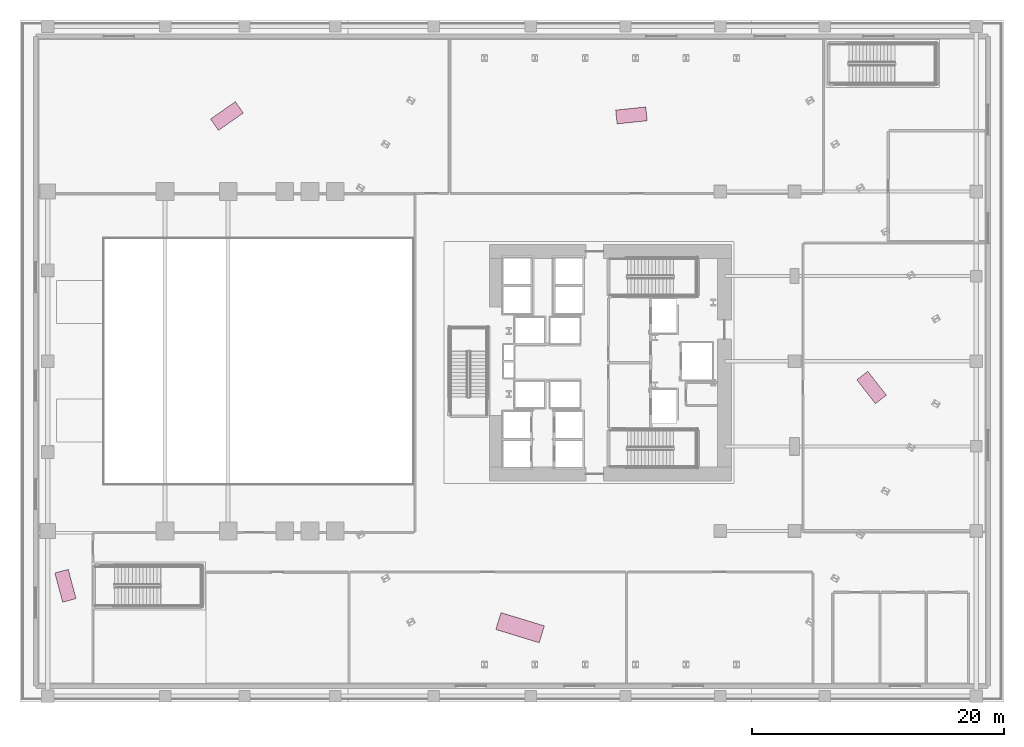
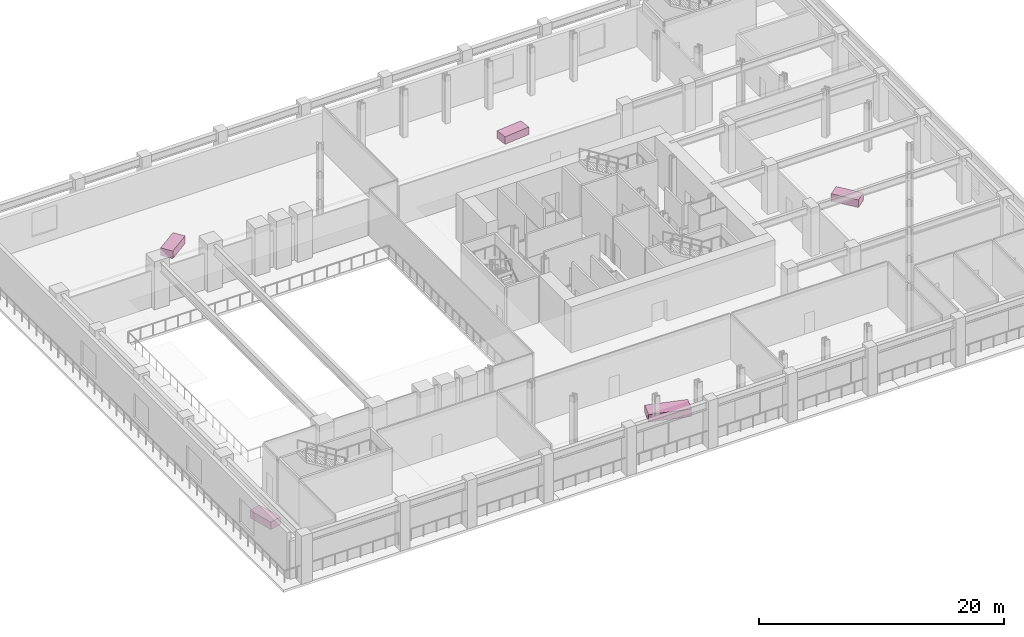
# One storey, part 19 of 19: 5 furniture elements.
"""IFC4 building model written with IfcOpenShell, lengths in metres."""

import ifcopenshell
import ifcopenshell.guid

model = None  # the IFC model being written
_history = None  # IfcOwnerHistory: only IFC2X3 demands one
_inside = {}  # id of a spatial element -> (the spatial element, [elements in it])
_under = {}  # id of a project, library or spatial element -> (it, [spatial elements below it])
_declared = {}  # id of a project -> (the project, [libraries it declares])
_typed = {}  # id of a type object -> (the type object, [elements of that type])
_made_of = {}  # id of a material, layer set ... -> (it, [elements and type objects made of it])


def new_model(schema):
    """Start an empty IFC model of exactly this schema.

    Asked for "IFC4X3", IfcOpenShell would pick the latest addendum, in which some entities
    have other attributes; the version numbers below select the first issue.
    IFC2X3 requires an IfcOwnerHistory on every rooted entity: one is made here for all.
    """
    global model, _history
    if schema == "IFC4X3":
        model = ifcopenshell.file(schema_version=(4, 3, 0, 0))
    else:
        model = ifcopenshell.file(schema=schema)
    _inside.clear()
    _under.clear()
    _declared.clear()
    _typed.clear()
    _made_of.clear()
    _history = None
    if model.schema == "IFC2X3":
        org = make("IfcOrganization", Name="unknown")
        user = make(
            "IfcPersonAndOrganization",
            ThePerson=make("IfcPerson", FamilyName="unknown"),
            TheOrganization=org,
        )
        app = make(
            "IfcApplication",
            ApplicationDeveloper=org,
            Version="unknown",
            ApplicationFullName="unknown",
            ApplicationIdentifier="unknown",
        )
        _history = make(
            "IfcOwnerHistory",
            OwningUser=user,
            OwningApplication=app,
            ChangeAction="ADDED",
            CreationDate=0,
        )
    return model


def make(cls, **values):
    """One entity of the class cls with the attributes given. An attribute that is None is left unset."""
    return model.create_entity(
        cls, **{name: value for name, value in values.items() if value is not None}
    )


def rooted(cls, **values):
    """An entity with a GlobalId (a new one), such as an element, a storey or a relation."""
    return make(cls, GlobalId=ifcopenshell.guid.new(), OwnerHistory=_history, **values)


def si_unit(unit_type, name, prefix=None):
    """IfcSIUnit, for example si_unit("LENGTHUNIT", "METRE", prefix="MILLI")."""
    return make("IfcSIUnit", UnitType=unit_type, Prefix=prefix, Name=name)


def assignment(units):
    """IfcUnitAssignment: the units of a project."""
    return None if units is None else make("IfcUnitAssignment", Units=units)


def point(xyz):
    """IfcCartesianPoint."""
    return None if xyz is None else make("IfcCartesianPoint", Coordinates=xyz)


def direction(xyz):
    """IfcDirection."""
    return None if xyz is None else make("IfcDirection", DirectionRatios=xyz)


def frame(location, z_axis=None, x_axis=None):
    """IfcAxis2Placement3D, a coordinate frame: its origin and axes. An axis left out is left unset."""
    return make(
        "IfcAxis2Placement3D",
        Location=point(location),
        Axis=direction(z_axis),
        RefDirection=direction(x_axis),
    )


def frame_2d(location, x_axis=None):
    """IfcAxis2Placement2D, a coordinate frame in the plane: its origin and x axis."""
    return make(
        "IfcAxis2Placement2D", Location=point(location), RefDirection=direction(x_axis)
    )


def origin():
    """The frame at (0, 0, 0) with its axes left unset."""
    return frame((0.0, 0.0, 0.0))


def origin_2d():
    """The frame at (0, 0) in the plane with its x axis left unset."""
    return frame_2d((0.0, 0.0))


def place(relative_to, where):
    """IfcLocalPlacement: puts the frame where relative to a parent placement (None: the world)."""
    return make(
        "IfcLocalPlacement", PlacementRelTo=relative_to, RelativePlacement=where
    )


def context(
    kind, dimensions, precision=None, world=None, true_north=None, identifier=None
):
    """IfcGeometricRepresentationContext, for example the 3D "Model" context."""
    return make(
        "IfcGeometricRepresentationContext",
        ContextIdentifier=identifier,
        ContextType=kind,
        CoordinateSpaceDimension=dimensions,
        Precision=precision,
        WorldCoordinateSystem=world,
        TrueNorth=true_north,
    )


def subcontext(parent, identifier, kind, view, scale=None):
    """IfcGeometricRepresentationSubContext, for example "Body" below "Model"."""
    return make(
        "IfcGeometricRepresentationSubContext",
        ContextIdentifier=identifier,
        ContextType=kind,
        ParentContext=parent,
        TargetScale=scale,
        TargetView=view,
    )


def project(units=None, contexts=None):
    """IfcProject with its units and contexts."""
    return rooted(
        "IfcProject",
        Name="project",
        RepresentationContexts=contexts,
        UnitsInContext=assignment(units),
    )


def spatial(cls, under=None, at=None, **own):
    """A site, building, storey or space (cls), placed at a placement, below another one or the project."""
    s = rooted(cls, ObjectPlacement=at, **own)
    if under is not None:
        _under.setdefault(under.id(), (under, []))[1].append(s)
    return s


def profile(cls, at=None, kind="AREA", **sizes):
    """A parametric profile (cls). Its sizes go by their IFC names, for example OverallWidth=200.0."""
    return make(cls, ProfileType=kind, Position=at, **sizes)


def rectangle(**sizes):
    """IfcRectangleProfileDef."""
    return profile("IfcRectangleProfileDef", **sizes)


def extrude(swept, where, along, depth):
    """IfcExtrudedAreaSolid: the profile swept, set in the frame where, extruded along a direction by depth."""
    return make(
        "IfcExtrudedAreaSolid",
        SweptArea=swept,
        Position=where,
        ExtrudedDirection=direction(along),
        Depth=depth,
    )


def shape(context_of_items, identifier, shape_type, items):
    """IfcShapeRepresentation: the items that make up one representation, for example the "Body"."""
    return make(
        "IfcShapeRepresentation",
        ContextOfItems=context_of_items,
        RepresentationIdentifier=identifier,
        RepresentationType=shape_type,
        Items=items,
    )


def material(Name=None, Category=None):
    """IfcMaterial."""
    return make("IfcMaterial", Name=Name, Category=Category)


def made_of(thing, what):
    """Note that an element or type object is made of a material, layer set ...; save() writes the relation."""
    if what is not None:
        _made_of.setdefault(what.id(), (what, []))[1].append(thing)
    return thing


def type_object(cls, material=None, **own):
    """A type object (cls), such as IfcWallType, which elements share."""
    return made_of(rooted(cls, **own), material)


def element(
    cls,
    number,
    at=None,
    inside=None,
    cuts=None,
    type_object=None,
    material=None,
    context=None,
    identifier="Body",
    shape_type=None,
    held_by="IfcProductDefinitionShape",
    body=None,
    shapes=None,
    **own,
):
    """One element of the class cls, such as IfcWall. Its Tag is "e" and its number.

    at: its placement. inside: the storey or other place that contains it. cuts: it is an
    opening in that element (IfcRelVoidsElement). A single representation is given by context,
    identifier, shape_type and body (its items); several are given by shapes. held_by: the class
    of the entity that holds the representations. save() writes the other relations.
    """
    e = rooted(cls, Tag="e%d" % number, ObjectPlacement=at, **own)
    if body is not None:
        shapes = [shape(context, identifier, shape_type, body)]
    if shapes is not None:
        e.Representation = make(held_by, Representations=shapes)
    if inside is not None:
        _inside.setdefault(inside.id(), (inside, []))[1].append(e)
    if cuts is not None:
        rooted(
            "IfcRelVoidsElement", RelatingBuildingElement=cuts, RelatedOpeningElement=e
        )
    if type_object is not None:
        _typed.setdefault(type_object.id(), (type_object, []))[1].append(e)
    return made_of(e, material)


def aggregate(whole, parts):
    """IfcRelAggregates: a whole, such as a stair, and the parts it consists of."""
    return rooted("IfcRelAggregates", RelatingObject=whole, RelatedObjects=parts)


def save(model, path):
    """Write the relations noted so far, then the file.

    IfcRelAggregates (storeys below a building ...), IfcRelContainedInSpatialStructure (elements
    in a storey), IfcRelDefinesByType, IfcRelAssociatesMaterial and IfcRelDeclares: one each for
    every whole, place, type object, material and project.
    """
    for whole, parts in _under.values():
        aggregate(whole, parts)
    for where, things in _inside.values():
        rooted(
            "IfcRelContainedInSpatialStructure",
            RelatedElements=things,
            RelatingStructure=where,
        )
    for kind, things in _typed.values():
        rooted("IfcRelDefinesByType", RelatedObjects=things, RelatingType=kind)
    for what, things in _made_of.values():
        rooted("IfcRelAssociatesMaterial", RelatedObjects=things, RelatingMaterial=what)
    for by, libraries in _declared.values():
        rooted("IfcRelDeclares", RelatingContext=by, RelatedDefinitions=libraries)
    model.write(path)


model = new_model("IFC4")

# Units and contexts
model_context = context("Model", 3, precision=1e-05, world=origin(), true_north=direction((0.0, 1.0)))
body_context = subcontext(model_context, "Body", "Model", "MODEL_VIEW")
ifc_project = project(units=[si_unit("LENGTHUNIT", "METRE"), si_unit("AREAUNIT", "SQUARE_METRE"), si_unit("VOLUMEUNIT", "CUBIC_METRE"), si_unit("PLANEANGLEUNIT", "RADIAN"), si_unit("MASSUNIT", "GRAM", prefix="KILO")], contexts=[model_context])

# Site, building, storey
site_placement = place(None, origin())
site = spatial("IfcSite", under=ifc_project, at=site_placement, CompositionType="ELEMENT")
building_placement = place(site_placement, origin())
building = spatial("IfcBuilding", under=site, at=building_placement, Name="Valkerne Bourse Tower", CompositionType="ELEMENT")
storey_placement = place(building_placement, frame((0.0, 0.0, 5.39990234375)))
storey = spatial("IfcBuildingStorey", under=building, at=storey_placement, Name="L01", CompositionType="ELEMENT", Elevation=5.39990234375)

# Furniture
ifc_material = material(Name="Architectural White Oak Timber", Category="wood")
furniture_type_1 = type_object("IfcFurnitureType", Name="FURN-CONF-3600", AssemblyPlace="NOTDEFINED", PredefinedType="TABLE", material=ifc_material)
furniture_placement = place(storey_placement, frame((39.64111328125, 5.87890625, 0.044921875), z_axis=(0.0, 0.0, 1.0), x_axis=(-0.956304755963, 0.292371704723, 0.0)))
element("IfcFurniture", 1, at=furniture_placement, inside=storey, type_object=furniture_type_1, Name="L01 Suite Worktable 04", PredefinedType="TABLE", context=body_context, shape_type="SweptSolid", body=[
    extrude(rectangle(XDim=3.60009765625, YDim=1.39990234375, at=origin_2d()), origin(), (0.0, 0.0, 1.0), 0.760009765625),
])
furniture_type_2 = type_object("IfcFurnitureType", Name="FURN-DESK-2400", AssemblyPlace="NOTDEFINED", PredefinedType="DESK", material=ifc_material)
for number, where, z_axis, x_axis, name in (
    (2, (3.60205078125, 9.199951171875, 0.045166015625), (0.0, 0.0, 1.0), (-0.258819045103, 0.965925826289, 0.0), "L01 Suite Worktable 02"),
    (3, (67.50390625, 24.91796875, 0.045166015625), (0.0, 0.0, 1.0), (-0.615661475326, 0.788010753607, 0.0), "L01 Suite Worktable 09"),
    (4, (48.466064453125, 46.485107421875, 0.045166015625), (0.0, 0.0, 1.0), (0.994521895368, 0.104528463268, 0.0), "L01 Suite Worktable 11"),
    (5, (16.402099609375, 46.43798828125, 0.045166015625), (0.0, 0.0, 1.0), (0.819152044289, 0.573576436351, 0.0), "L01 Suite Worktable 12"),
):
    element("IfcFurniture", number, at=place(storey_placement, frame(where, z_axis=z_axis, x_axis=x_axis)), inside=storey, type_object=furniture_type_2, Name=name, PredefinedType="DESK", context=body_context, shape_type="SweptSolid", body=[
        extrude(rectangle(XDim=2.39990234375, YDim=1.10009765625, at=origin_2d()), origin(), (0.0, 0.0, 1.0), 0.75),
    ])

save(model, "model.ifc")
